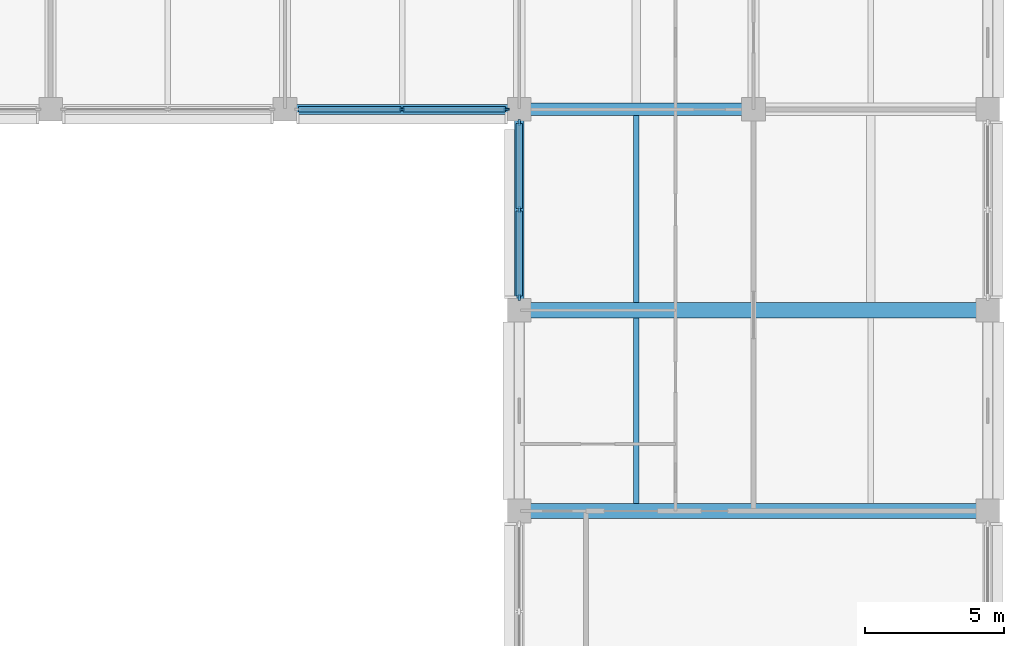
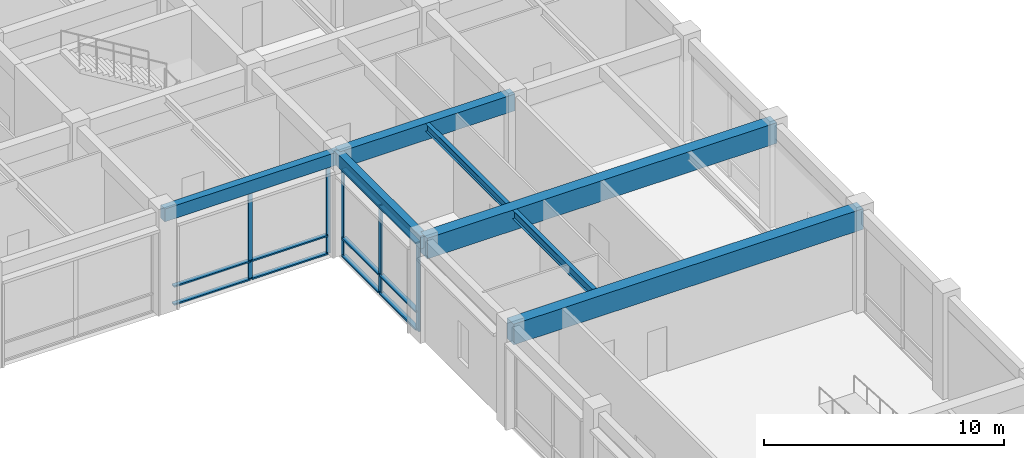
# One storey, part 13 of 51: 17 members, 7 beams, 2 elements without a shape of their own.
"""IFC4 building model written with IfcOpenShell, lengths in metres."""

from ifc_helpers import new_model, si_unit, direction, frame, origin, origin_2d, place, context, subcontext, project, spatial, rectangle, i_section, extrude, material, layer, layer_set, material_profile, profile_set, type_object, element, aggregate, save


model = new_model("IFC4")

# Units and contexts
model_context = context("Model", 3, precision=1e-05, world=origin(), true_north=direction((0.0, 1.0)))
body_context = subcontext(model_context, "Body", "Model", "MODEL_VIEW")
ifc_project = project(units=[si_unit("LENGTHUNIT", "METRE"), si_unit("AREAUNIT", "SQUARE_METRE"), si_unit("VOLUMEUNIT", "CUBIC_METRE"), si_unit("PLANEANGLEUNIT", "RADIAN"), si_unit("MASSUNIT", "GRAM", prefix="KILO")], contexts=[model_context])

# Site, building, storey
site_placement = place(None, origin())
site = spatial("IfcSite", under=ifc_project, at=site_placement, CompositionType="ELEMENT")
building_placement = place(site_placement, origin())
building = spatial("IfcBuilding", under=site, at=building_placement, Name="Chengyuan Square Courthouse", CompositionType="ELEMENT")
storey_placement = place(building_placement, frame((0.0, 0.0, 10.800048828125)))
storey = spatial("IfcBuildingStorey", under=building, at=storey_placement, Name="L03", CompositionType="ELEMENT", Elevation=10.800048828125)

# Beams
ifc_material_1 = material(Name="Concrete C40", Category="concrete")
ifc_material_profile_1 = material_profile(ifc_material_1, rectangle(XDim=0.449951171875, YDim=0.85009765625, at=origin_2d()), Name="RC-BM-450x850")
ifc_profile_set_1 = profile_set([ifc_material_profile_1], Name="Concrete C40")
beam_type_1 = type_object("IfcBeamType", Name="BM-01", PredefinedType="USERDEFINED", material=ifc_profile_set_1)
beam_1_placement = place(storey_placement, frame((151.199951171875, 79.199951171875, 4.695068359375), z_axis=(1.0, 0.0, 0.0), x_axis=(0.0, 1.0, 0.0)))
element("IfcBeam", 1, at=beam_1_placement, inside=storey, type_object=beam_type_1, Name="Girder BM-L03-2542", ObjectType="GIRDER", PredefinedType="USERDEFINED", context=body_context, shape_type="SweptSolid", body=[
    extrude(rectangle(XDim=0.449951171875, YDim=0.85009765625, at=origin_2d()), origin(), (0.0, 0.0, 1.0), 8.400146484375),
])
ifc_material_profile_2 = material_profile(ifc_material_1, rectangle(XDim=0.35009765625, YDim=0.64990234375, at=origin_2d()), Name="RC-BM-350x650")
ifc_profile_set_2 = profile_set([ifc_material_profile_2], Name="Concrete C40")
beam_type_2 = type_object("IfcBeamType", Name="BM-03", PredefinedType="SPANDREL", material=ifc_profile_set_2)
beam_2_placement = place(storey_placement, frame((142.800048828125, 79.199951171875, 4.794921875), z_axis=(1.0, 0.0, 0.0), x_axis=(0.0, 1.0, 0.0)))
element("IfcBeam", 2, at=beam_2_placement, inside=storey, type_object=beam_type_2, Name="Girder BM-L03-2541", PredefinedType="SPANDREL", context=body_context, shape_type="SweptSolid", body=[
    extrude(rectangle(XDim=0.35009765625, YDim=0.64990234375, at=origin_2d()), origin(), (0.0, 0.0, 1.0), 8.39990234375),
])
beam_3_placement = place(storey_placement, frame((151.199951171875, 72.0, 4.794921875), z_axis=(0.0, 1.0, 0.0), x_axis=(-1.0, 0.0, 0.0)))
element("IfcBeam", 3, at=beam_3_placement, inside=storey, type_object=beam_type_2, Name="Girder BM-L03-2734", PredefinedType="SPANDREL", context=body_context, shape_type="SweptSolid", body=[
    extrude(rectangle(XDim=0.35009765625, YDim=0.64990234375, at=origin_2d()), origin(), (0.0, 0.0, 1.0), 7.199951171875),
])
ifc_material_2 = material(Name="Steel Q355B", Category="steel")
ifc_material_profile_3 = material_profile(ifc_material_2, i_section(OverallWidth=0.199951171875, OverallDepth=0.449951171875, WebThickness=0.009033203125, FlangeThickness=0.013916015625, at=origin_2d()), Name="HN 450x200x9x14")
ifc_profile_set_3 = profile_set([ifc_material_profile_3], Name="Steel Q355B")
beam_type_3 = type_object("IfcBeamType", Name="BM-06", PredefinedType="BEAM", material=ifc_profile_set_3)
beam_4_placement = place(storey_placement, frame((155.39990234375, 65.074951171875, 4.89501953125), z_axis=(0.0, 1.0, 0.0), x_axis=(-1.0, 0.0, 0.0)))
element("IfcBeam", 4, at=beam_4_placement, inside=storey, type_object=beam_type_3, Name="Secondary Floor Beam SBM-L03-2829", PredefinedType="BEAM", context=body_context, shape_type="SweptSolid", body=[
    extrude(i_section(OverallWidth=0.199951171875, OverallDepth=0.449951171875, WebThickness=0.009033203125, FlangeThickness=0.013916015625, at=origin_2d()), origin(), (0.0, 0.0, 1.0), 6.650146484375),
])
ifc_material_profile_4 = material_profile(ifc_material_2, i_section(OverallWidth=0.199951171875, OverallDepth=0.39990234375, WebThickness=0.008056640625, FlangeThickness=0.012939453125, at=origin_2d()), Name="HN 400x200x8x13")
ifc_profile_set_4 = profile_set([ifc_material_profile_4], Name="Steel Q355B")
beam_type_4 = type_object("IfcBeamType", Name="BM-07", PredefinedType="BEAM", material=ifc_profile_set_4)
beam_5_placement = place(storey_placement, frame((155.39990234375, 72.27490234375, 4.919921875), z_axis=(0.0, 1.0, 0.0), x_axis=(-1.0, 0.0, 0.0)))
element("IfcBeam", 5, at=beam_5_placement, inside=storey, type_object=beam_type_4, Name="Secondary Floor Beam SBM-L03-2830", PredefinedType="BEAM", context=body_context, shape_type="SweptSolid", body=[
    extrude(i_section(OverallWidth=0.199951171875, OverallDepth=0.39990234375, WebThickness=0.008056640625, FlangeThickness=0.012939453125, at=origin_2d()), origin(), (0.0, 0.0, 1.0), 6.7001953125),
])

# Curtain wall, members
ifc_material_3 = material(Name="Unitised Aluminium and Triple Low-E Glass", Category="aluminium")
ifc_layer_1 = layer(ifc_material_3, 0.199951171875)
ifc_layer_set_1 = layer_set([ifc_layer_1], Name="Unitised Aluminium and Triple Low-E Glass")
curtain_wall_type_1 = type_object("IfcCurtainWallType", Name="CW-07", PredefinedType="USERDEFINED", material=ifc_layer_set_1)
curtain_wall_1_placement = place(storey_placement, origin())
curtain_wall_1 = element("IfcCurtainWall", 6, at=curtain_wall_1_placement, inside=storey, type_object=curtain_wall_type_1, Name="Unitised Curtain Wall CW-L03-118", ObjectType="UNITISED CURTAIN WALL", PredefinedType="USERDEFINED")
ifc_material_4 = material(Name="Aluminium 6063-T6 Frame", Category="aluminium")
ifc_material_profile_5 = material_profile(ifc_material_4, rectangle(XDim=0.070068359375, YDim=0.199951171875, at=origin_2d()), Name="CW-MUL-70x200")
ifc_profile_set_5 = profile_set([ifc_material_profile_5], Name="Aluminium 6063-T6 Frame")
member_type_1 = type_object("IfcMemberType", Name="CWM-03", PredefinedType="MULLION", material=ifc_profile_set_5)
member_1_placement = place(storey_placement, frame((147.0, 79.199951171875, 0.0), z_axis=(0.0, 0.0, 1.0), x_axis=(0.0, 1.0, 0.0)))
member_1 = element("IfcMember", 7, at=member_1_placement, type_object=member_type_1, Name="CW-07 mullion 2", PredefinedType="MULLION", context=body_context, shape_type="SweptSolid", body=[
    extrude(rectangle(XDim=0.070068359375, YDim=0.199951171875, at=origin_2d()), origin(), (0.0, 0.0, 1.0), 4.469970703125),
])
member_2_placement = place(storey_placement, frame((150.739990234375, 79.199951171875, 0.0), z_axis=(0.0, 0.0, 1.0), x_axis=(0.0, 1.0, 0.0)))
member_2 = element("IfcMember", 8, at=member_2_placement, type_object=member_type_1, Name="CW-07 mullion 3", PredefinedType="MULLION", context=body_context, shape_type="SweptSolid", body=[
    extrude(rectangle(XDim=0.070068359375, YDim=0.199951171875, at=origin_2d()), origin(), (0.0, 0.0, 1.0), 4.469970703125),
])

ifc_layer_2 = layer(ifc_material_3, 0.219970703125)
ifc_layer_set_2 = layer_set([ifc_layer_2], Name="Unitised Aluminium and Triple Low-E Glass")
curtain_wall_type_2 = type_object("IfcCurtainWallType", Name="CW-20", PredefinedType="USERDEFINED", material=ifc_layer_set_2)
curtain_wall_2_placement = place(storey_placement, origin())
curtain_wall_2 = element("IfcCurtainWall", 9, at=curtain_wall_2_placement, inside=storey, type_object=curtain_wall_type_2, Name="Unitised Curtain Wall CW-L03-121", ObjectType="UNITISED CURTAIN WALL", PredefinedType="USERDEFINED")
ifc_material_profile_6 = material_profile(ifc_material_4, rectangle(XDim=0.080078125, YDim=0.219970703125, at=origin_2d()), Name="CW-MUL-80x220")
ifc_profile_set_6 = profile_set([ifc_material_profile_6], Name="Aluminium 6063-T6 Frame")
member_type_2 = type_object("IfcMemberType", Name="CWM-04", PredefinedType="MULLION", material=ifc_profile_set_6)
member_3_placement = place(storey_placement, frame((151.199951171875, 72.465087890625, 0.0), z_axis=(0.0, 0.0, 1.0), x_axis=(-1.0, 0.0, 0.0)))
member_3 = element("IfcMember", 10, at=member_3_placement, type_object=member_type_2, Name="CW-20 mullion 1", PredefinedType="MULLION", context=body_context, shape_type="SweptSolid", body=[
    extrude(rectangle(XDim=0.080078125, YDim=0.219970703125, at=origin_2d()), origin(), (0.0, 0.0, 1.0), 4.469970703125),
])
member_4_placement = place(storey_placement, frame((151.199951171875, 75.60009765625, 0.0), z_axis=(0.0, 0.0, 1.0), x_axis=(-1.0, 0.0, 0.0)))
member_4 = element("IfcMember", 11, at=member_4_placement, type_object=member_type_2, Name="CW-20 mullion 2", PredefinedType="MULLION", context=body_context, shape_type="SweptSolid", body=[
    extrude(rectangle(XDim=0.080078125, YDim=0.219970703125, at=origin_2d()), origin(), (0.0, 0.0, 1.0), 4.469970703125),
])
member_5_placement = place(storey_placement, frame((151.199951171875, 78.735107421875, 0.0), z_axis=(0.0, 0.0, 1.0), x_axis=(-1.0, 0.0, 0.0)))
member_5 = element("IfcMember", 12, at=member_5_placement, type_object=member_type_2, Name="CW-20 mullion 3", PredefinedType="MULLION", context=body_context, shape_type="SweptSolid", body=[
    extrude(rectangle(XDim=0.080078125, YDim=0.219970703125, at=origin_2d()), origin(), (0.0, 0.0, 1.0), 4.469970703125),
])

# Member
ifc_material_profile_7 = material_profile(ifc_material_4, rectangle(XDim=0.199951171875, YDim=0.070068359375, at=origin_2d()), Name="CW-TRN-70x160")
ifc_profile_set_7 = profile_set([ifc_material_profile_7], Name="Aluminium 6063-T6 Frame")
member_type_3 = type_object("IfcMemberType", Name="CWT-03", PredefinedType="USERDEFINED", material=ifc_profile_set_7)
member_6_placement = place(storey_placement, frame((143.294921875, 79.199951171875, 0.034912109375), z_axis=(1.0, 0.0, 0.0), x_axis=(0.0, 1.0, 0.0)))
member_6 = element("IfcMember", 13, at=member_6_placement, type_object=member_type_3, Name="CW-07 transom 1.1", ObjectType="TRANSOM", PredefinedType="USERDEFINED", context=body_context, shape_type="SweptSolid", body=[
    extrude(rectangle(XDim=0.199951171875, YDim=0.070068359375, at=origin_2d()), origin(), (0.0, 0.0, 1.0), 3.670166015625),
])

member_7_placement = place(storey_placement, frame((143.294921875, 79.199951171875, 0.949951171875), z_axis=(1.0, 0.0, 0.0), x_axis=(0.0, 1.0, 0.0)))
member_7 = element("IfcMember", 14, at=member_7_placement, type_object=member_type_3, Name="CW-07 transom 1.2", ObjectType="TRANSOM", PredefinedType="USERDEFINED", context=body_context, shape_type="SweptSolid", body=[
    extrude(rectangle(XDim=0.199951171875, YDim=0.070068359375, at=origin_2d()), origin(), (0.0, 0.0, 1.0), 3.670166015625),
])

member_8_placement = place(storey_placement, frame((143.294921875, 79.199951171875, 4.43505859375), z_axis=(1.0, 0.0, 0.0), x_axis=(0.0, 1.0, 0.0)))
member_8 = element("IfcMember", 15, at=member_8_placement, type_object=member_type_3, Name="CW-07 transom 1.3", ObjectType="TRANSOM", PredefinedType="USERDEFINED", context=body_context, shape_type="SweptSolid", body=[
    extrude(rectangle(XDim=0.199951171875, YDim=0.070068359375, at=origin_2d()), origin(), (0.0, 0.0, 1.0), 3.670166015625),
])

member_9_placement = place(storey_placement, frame((147.034912109375, 79.199951171875, 0.034912109375), z_axis=(1.0, 0.0, 0.0), x_axis=(0.0, 1.0, 0.0)))
member_9 = element("IfcMember", 16, at=member_9_placement, type_object=member_type_3, Name="CW-07 transom 2.1", ObjectType="TRANSOM", PredefinedType="USERDEFINED", context=body_context, shape_type="SweptSolid", body=[
    extrude(rectangle(XDim=0.199951171875, YDim=0.070068359375, at=origin_2d()), origin(), (0.0, 0.0, 1.0), 3.670166015625),
])

member_10_placement = place(storey_placement, frame((147.034912109375, 79.199951171875, 0.949951171875), z_axis=(1.0, 0.0, 0.0), x_axis=(0.0, 1.0, 0.0)))
member_10 = element("IfcMember", 17, at=member_10_placement, type_object=member_type_3, Name="CW-07 transom 2.2", ObjectType="TRANSOM", PredefinedType="USERDEFINED", context=body_context, shape_type="SweptSolid", body=[
    extrude(rectangle(XDim=0.199951171875, YDim=0.070068359375, at=origin_2d()), origin(), (0.0, 0.0, 1.0), 3.670166015625),
])

member_11_placement = place(storey_placement, frame((147.034912109375, 79.199951171875, 4.43505859375), z_axis=(1.0, 0.0, 0.0), x_axis=(0.0, 1.0, 0.0)))
member_11 = element("IfcMember", 18, at=member_11_placement, type_object=member_type_3, Name="CW-07 transom 2.3", ObjectType="TRANSOM", PredefinedType="USERDEFINED", context=body_context, shape_type="SweptSolid", body=[
    extrude(rectangle(XDim=0.199951171875, YDim=0.070068359375, at=origin_2d()), origin(), (0.0, 0.0, 1.0), 3.670166015625),
])

aggregate(curtain_wall_1, [member_1, member_2, member_6, member_7, member_8, member_9, member_10, member_11])

ifc_material_profile_8 = material_profile(ifc_material_4, rectangle(XDim=0.219970703125, YDim=0.080078125, at=origin_2d()), Name="CW-TRN-80x180")
ifc_profile_set_8 = profile_set([ifc_material_profile_8], Name="Aluminium 6063-T6 Frame")
member_type_4 = type_object("IfcMemberType", Name="CWT-04", PredefinedType="USERDEFINED", material=ifc_profile_set_8)
member_12_placement = place(storey_placement, frame((151.199951171875, 72.5048828125, 0.0400390625), z_axis=(0.0, 1.0, 0.0), x_axis=(-1.0, 0.0, 0.0)))
member_12 = element("IfcMember", 19, at=member_12_placement, type_object=member_type_4, Name="CW-20 transom 1.1", ObjectType="TRANSOM", PredefinedType="USERDEFINED", context=body_context, shape_type="SweptSolid", body=[
    extrude(rectangle(XDim=0.219970703125, YDim=0.080078125, at=origin_2d()), origin(), (0.0, 0.0, 1.0), 3.05517578125),
])

member_13_placement = place(storey_placement, frame((151.199951171875, 72.5048828125, 0.949951171875), z_axis=(0.0, 1.0, 0.0), x_axis=(-1.0, 0.0, 0.0)))
member_13 = element("IfcMember", 20, at=member_13_placement, type_object=member_type_4, Name="CW-20 transom 1.2", ObjectType="TRANSOM", PredefinedType="USERDEFINED", context=body_context, shape_type="SweptSolid", body=[
    extrude(rectangle(XDim=0.219970703125, YDim=0.080078125, at=origin_2d()), origin(), (0.0, 0.0, 1.0), 3.05517578125),
])

member_14_placement = place(storey_placement, frame((151.199951171875, 72.5048828125, 4.429931640625), z_axis=(0.0, 1.0, 0.0), x_axis=(-1.0, 0.0, 0.0)))
member_14 = element("IfcMember", 21, at=member_14_placement, type_object=member_type_4, Name="CW-20 transom 1.3", ObjectType="TRANSOM", PredefinedType="USERDEFINED", context=body_context, shape_type="SweptSolid", body=[
    extrude(rectangle(XDim=0.219970703125, YDim=0.080078125, at=origin_2d()), origin(), (0.0, 0.0, 1.0), 3.05517578125),
])

member_15_placement = place(storey_placement, frame((151.199951171875, 75.639892578125, 0.0400390625), z_axis=(0.0, 1.0, 0.0), x_axis=(-1.0, 0.0, 0.0)))
member_15 = element("IfcMember", 22, at=member_15_placement, type_object=member_type_4, Name="CW-20 transom 2.1", ObjectType="TRANSOM", PredefinedType="USERDEFINED", context=body_context, shape_type="SweptSolid", body=[
    extrude(rectangle(XDim=0.219970703125, YDim=0.080078125, at=origin_2d()), origin(), (0.0, 0.0, 1.0), 3.05517578125),
])

member_16_placement = place(storey_placement, frame((151.199951171875, 75.639892578125, 0.949951171875), z_axis=(0.0, 1.0, 0.0), x_axis=(-1.0, 0.0, 0.0)))
member_16 = element("IfcMember", 23, at=member_16_placement, type_object=member_type_4, Name="CW-20 transom 2.2", ObjectType="TRANSOM", PredefinedType="USERDEFINED", context=body_context, shape_type="SweptSolid", body=[
    extrude(rectangle(XDim=0.219970703125, YDim=0.080078125, at=origin_2d()), origin(), (0.0, 0.0, 1.0), 3.05517578125),
])

member_17_placement = place(storey_placement, frame((151.199951171875, 75.639892578125, 4.429931640625), z_axis=(0.0, 1.0, 0.0), x_axis=(-1.0, 0.0, 0.0)))
member_17 = element("IfcMember", 24, at=member_17_placement, type_object=member_type_4, Name="CW-20 transom 2.3", ObjectType="TRANSOM", PredefinedType="USERDEFINED", context=body_context, shape_type="SweptSolid", body=[
    extrude(rectangle(XDim=0.219970703125, YDim=0.080078125, at=origin_2d()), origin(), (0.0, 0.0, 1.0), 3.05517578125),
])

aggregate(curtain_wall_2, [member_3, member_4, member_5, member_12, member_13, member_14, member_15, member_16, member_17])

# Beams
ifc_material_5 = material(Name="Post-tensioned Concrete C50", Category="concrete")
ifc_material_profile_9 = material_profile(ifc_material_5, rectangle(XDim=0.550048828125, YDim=1.050048828125, at=origin_2d()), Name="PT-BM-550x1050")
ifc_profile_set_9 = profile_set([ifc_material_profile_9], Name="Post-tensioned Concrete C50")
beam_type_5 = type_object("IfcBeamType", Name="PT-01", PredefinedType="USERDEFINED", material=ifc_profile_set_9)
for number, where, z_axis, x_axis, name in (
    (25, (151.199951171875, 64.800048828125, 4.594970703125), (1.0, 0.0, 0.0), (0.0, 1.0, 0.0), "Girder BM-L03-2521"),
    (26, (151.199951171875, 72.0, 4.594970703125), (1.0, 0.0, 0.0), (0.0, 1.0, 0.0), "Girder BM-L03-2523"),
):
    element("IfcBeam", number, at=place(storey_placement, frame(where, z_axis=z_axis, x_axis=x_axis)), inside=storey, type_object=beam_type_5, Name=name, ObjectType="GIRDER", PredefinedType="USERDEFINED", context=body_context, shape_type="SweptSolid", body=[
        extrude(rectangle(XDim=0.550048828125, YDim=1.050048828125, at=origin_2d()), origin(), (0.0, 0.0, 1.0), 16.800048828125),
    ])

save(model, "model.ifc")
